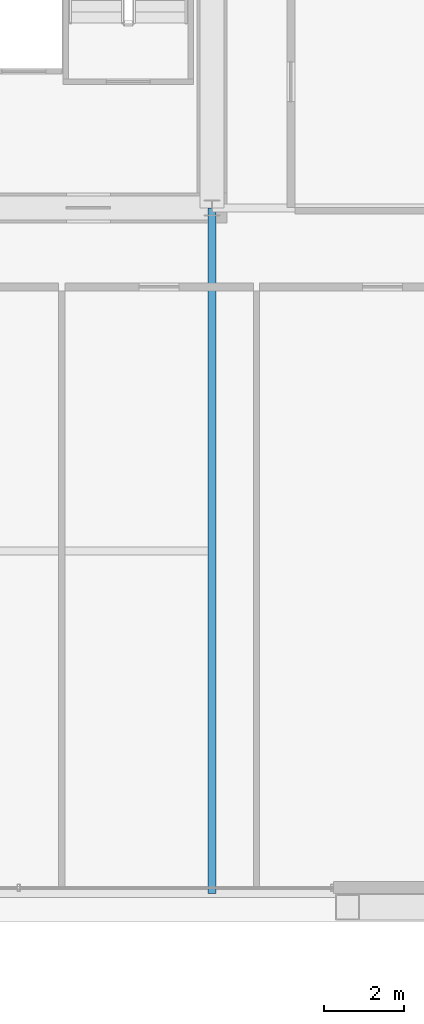
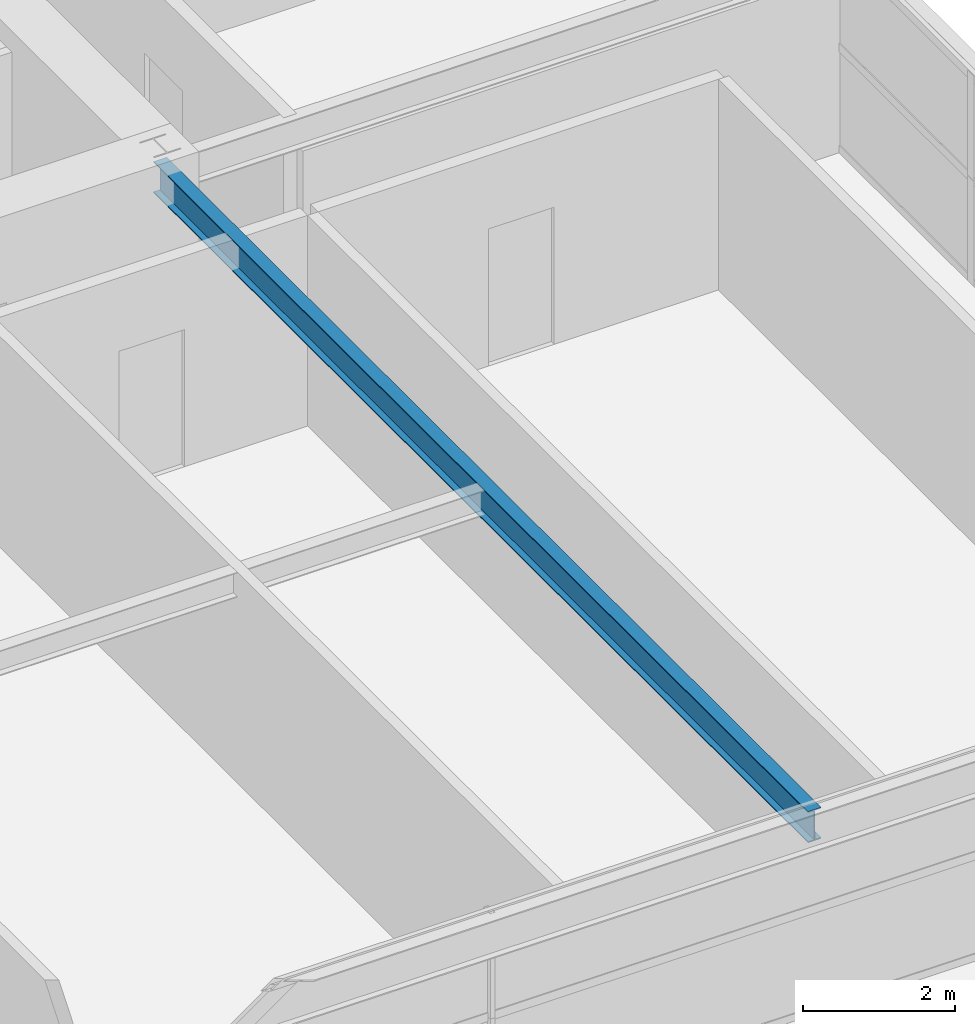
# One storey, part 17 of 43: 1 beam.
"""IFC4 building model written with IfcOpenShell, lengths in metres."""

from ifc_helpers import new_model, si_unit, direction, frame, origin, origin_2d, place, context, subcontext, project, spatial, i_section, extrude, source, transform, mapped, material, material_profile, profile_set, type_object, element, save


model = new_model("IFC4")

# Units and contexts
model_context = context("Model", 3, precision=1e-05, world=origin(), true_north=direction((0.0, 1.0)))
body_context = subcontext(model_context, "Body", "Model", "MODEL_VIEW")
ifc_project = project(units=[si_unit("LENGTHUNIT", "METRE"), si_unit("AREAUNIT", "SQUARE_METRE"), si_unit("VOLUMEUNIT", "CUBIC_METRE"), si_unit("PLANEANGLEUNIT", "RADIAN"), si_unit("MASSUNIT", "GRAM", prefix="KILO"), si_unit("THERMODYNAMICTEMPERATUREUNIT", "KELVIN"), si_unit("POWERUNIT", "WATT")], contexts=[model_context])

# Site, building, storey
site_placement = place(None, origin())
site = spatial("IfcSite", under=ifc_project, at=site_placement, CompositionType="ELEMENT")
building_placement = place(site_placement, origin())
building = spatial("IfcBuilding", under=site, at=building_placement, Name="Yuzanri Waterfront Tower", CompositionType="ELEMENT")
storey_placement = place(building_placement, frame((0.0, 0.0, 159.60009765625)))
storey = spatial("IfcBuildingStorey", under=building, at=storey_placement, Name="L42", CompositionType="ELEMENT", Elevation=159.60009765625)

# Beam
ifc_material = material(Name="Steel Q355B", Category="steel")
ifc_material_profile = material_profile(ifc_material, i_section(OverallWidth=0.199951171875, OverallDepth=0.5, WebThickness=0.010009765625, FlangeThickness=0.01611328125, at=origin_2d()), Name="HN 500x200x10x16")
ifc_profile_set = profile_set([ifc_material_profile], Name="Steel Q355B")
beam_type = type_object("IfcBeamType", Name="Secondary Floor Beam Q355B HN 500x200", PredefinedType="BEAM", material=ifc_profile_set)
shared_shape = source(origin(), body_context, "Body", "SweptSolid", [
    extrude(i_section(OverallWidth=0.199951171875, OverallDepth=0.5, WebThickness=0.010009765625, FlangeThickness=0.01611328125, at=origin_2d()), origin(), (0.0, 0.0, 1.0), 17.199951171875),
])
beam_placement = place(storey_placement, frame((50.199951171875, 19.39990234375, 3.1298828125), z_axis=(0.0, -1.0, 0.0), x_axis=(1.0, 0.0, 0.0)))
element("IfcBeam", 1, at=beam_placement, inside=storey, type_object=beam_type, Name="L42 South-East Core Line Beam", PredefinedType="BEAM", context=body_context, shape_type="MappedRepresentation", body=[
    mapped(shared_shape, transform((0.0, 0.0, 0.0), scale=1.0)),
])

save(model, "model.ifc")
